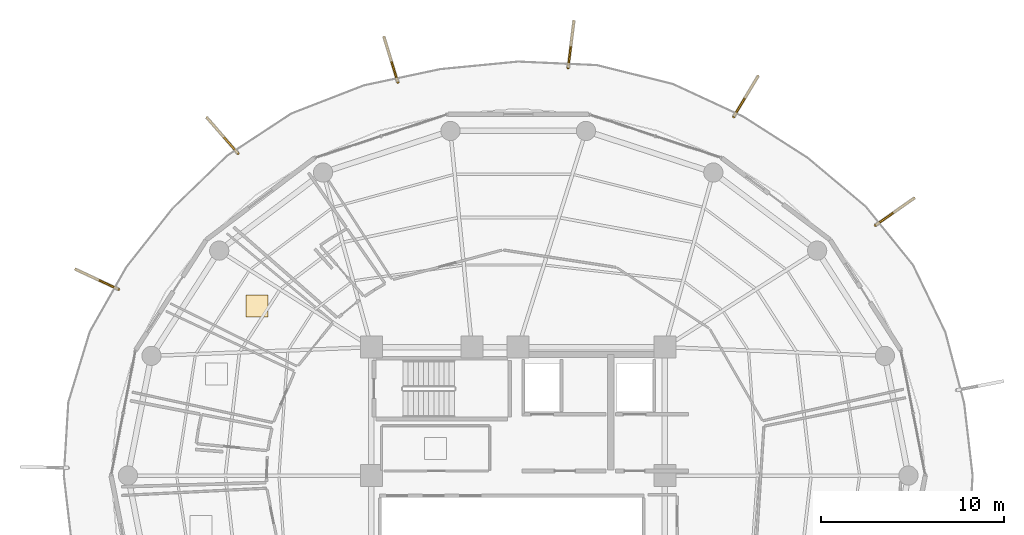
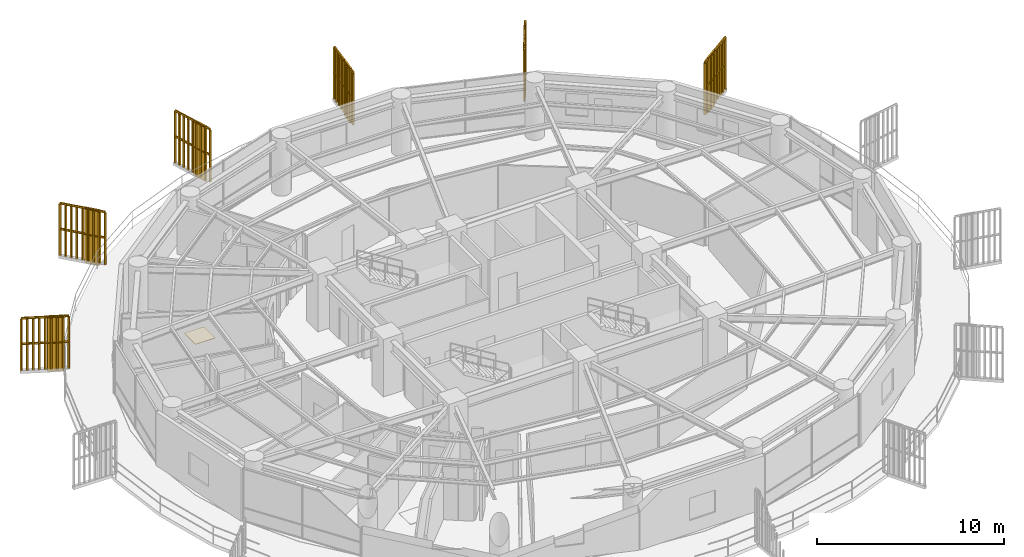
# One storey, part 30 of 30: 6 railings, 6 shading devices, 1 covering.
"""IFC4 building model written with IfcOpenShell, lengths in metres."""

from ifc_helpers import new_model, si_unit, direction, frame, origin, origin_2d, place, context, subcontext, project, spatial, polyline, rectangle, outline, extrude, source, transform, mapped, material, layer, layer_set, type_object, element, save


model = new_model("IFC4")

# Units and contexts
model_context = context("Model", 3, precision=1e-05, world=origin(), true_north=direction((0.0, 1.0)))
body_context = subcontext(model_context, "Body", "Model", "MODEL_VIEW")
ifc_project = project(units=[si_unit("LENGTHUNIT", "METRE"), si_unit("AREAUNIT", "SQUARE_METRE"), si_unit("VOLUMEUNIT", "CUBIC_METRE"), si_unit("PLANEANGLEUNIT", "RADIAN"), si_unit("MASSUNIT", "GRAM", prefix="KILO")], contexts=[model_context])

# Site, building, storey
site_placement = place(None, origin())
site = spatial("IfcSite", under=ifc_project, at=site_placement, CompositionType="ELEMENT")
building_placement = place(site_placement, origin())
building = spatial("IfcBuilding", under=site, at=building_placement, Name="Kelanora Arch Commons", CompositionType="ELEMENT")
storey_placement = place(building_placement, frame((0.0, 0.0, 204.449951171875)))
storey = spatial("IfcBuildingStorey", under=building, at=storey_placement, Name="L52", CompositionType="ELEMENT", Elevation=204.449951171875)

# Railings
ifc_material_1 = material(Name="Anodised bronze vertical shading fin rib assembly")
railing_type = type_object("IfcRailingType", Name="RAIL-FIN-BRZ", PredefinedType="BALUSTRADE", material=ifc_material_1)
railing_1_placement = place(storey_placement, frame((93.488037109375, 71.6533203125, -0.02001953125)))
element("IfcRailing", 1, at=railing_1_placement, inside=storey, type_object=railing_type, Name="Sweeping Bronze Vertical Fin Blade L52-03", PredefinedType="BALUSTRADE", context=body_context, shape_type="SweptSolid", body=[
    extrude(outline(polyline([(0.06982421875, 0.0), (0.034912109375, 0.060546875), (-0.034912109375, 0.060546875), (-0.06982421875, 0.0), (-0.034912109375, -0.060546875), (0.034912109375, -0.060546875), (0.06982421875, 0.0)])), frame((0.0, 0.0, 3.419921875), z_axis=(0.819011940007, 0.573776474009, 0.0), x_axis=(-0.573776474009, 0.819011940007, 0.0)), (0.0, 0.0, 1.0), 2.555419921875),
    extrude(outline(polyline([(0.06982421875, 0.0), (0.034912109375, 0.060546875), (-0.034912109375, 0.060546875), (-0.06982421875, 0.0), (-0.034912109375, -0.060546875), (0.034912109375, -0.060546875), (0.06982421875, 0.0)])), frame((0.0, 0.0, 1.7451171875), z_axis=(0.819011940007, 0.573776474009, 0.0), x_axis=(-0.573776474009, 0.819011940007, 0.0)), (0.0, 0.0, 1.0), 2.555419921875),
    extrude(outline(polyline([(0.080078125, 0.0), (0.0400390625, 0.0693359375), (-0.0400390625, 0.0693359375), (-0.080078125, 0.0), (-0.0400390625, -0.0693359375), (0.0400390625, -0.0693359375), (0.080078125, 0.0)])), origin(), (0.0, 0.0, 1.0), 3.35009765625),
    extrude(outline(polyline([(0.080078125, 0.0), (0.0400390625, 0.0693359375), (-0.0400390625, 0.0693359375), (-0.080078125, 0.0), (-0.0400390625, -0.0693359375), (0.0400390625, -0.0693359375), (0.080078125, 0.0)])), frame((0.26171875, 0.183349609375, 0.0)), (0.0, 0.0, 1.0), 3.35009765625),
    extrude(outline(polyline([(0.080078125, 0.0), (0.0400390625, 0.0693359375), (-0.0400390625, 0.0693359375), (-0.080078125, 0.0), (-0.0400390625, -0.0693359375), (0.0400390625, -0.0693359375), (0.080078125, 0.0)])), frame((0.523193359375, 0.36669921875, 0.0)), (0.0, 0.0, 1.0), 3.35009765625),
    extrude(outline(polyline([(0.080078125, 0.0), (0.0400390625, 0.0693359375), (-0.0400390625, 0.0693359375), (-0.080078125, 0.0), (-0.0400390625, -0.0693359375), (0.0400390625, -0.0693359375), (0.080078125, 0.0)])), frame((0.784912109375, 0.5498046875, 0.0)), (0.0, 0.0, 1.0), 3.35009765625),
    extrude(outline(polyline([(0.080078125, 0.0), (0.0400390625, 0.0693359375), (-0.0400390625, 0.0693359375), (-0.080078125, 0.0), (-0.0400390625, -0.0693359375), (0.0400390625, -0.0693359375), (0.080078125, 0.0)])), frame((1.04638671875, 0.733154296875, 0.0)), (0.0, 0.0, 1.0), 3.35009765625),
    extrude(outline(polyline([(0.080078125, 0.0), (0.0400390625, 0.0693359375), (-0.0400390625, 0.0693359375), (-0.080078125, 0.0), (-0.0400390625, -0.0693359375), (0.0400390625, -0.0693359375), (0.080078125, 0.0)])), frame((1.30810546875, 0.91650390625, 0.0)), (0.0, 0.0, 1.0), 3.35009765625),
    extrude(outline(polyline([(0.080078125, 0.0), (0.0400390625, 0.0693359375), (-0.0400390625, 0.0693359375), (-0.080078125, 0.0), (-0.0400390625, -0.0693359375), (0.0400390625, -0.0693359375), (0.080078125, 0.0)])), frame((1.56982421875, 1.099609375, 0.0)), (0.0, 0.0, 1.0), 3.35009765625),
    extrude(outline(polyline([(0.080078125, 0.0), (0.0400390625, 0.0693359375), (-0.0400390625, 0.0693359375), (-0.080078125, 0.0), (-0.0400390625, -0.0693359375), (0.0400390625, -0.0693359375), (0.080078125, 0.0)])), frame((1.831298828125, 1.282958984375, 0.0)), (0.0, 0.0, 1.0), 3.35009765625),
    extrude(outline(polyline([(0.080078125, 0.0), (0.0400390625, 0.0693359375), (-0.0400390625, 0.0693359375), (-0.080078125, 0.0), (-0.0400390625, -0.0693359375), (0.0400390625, -0.0693359375), (0.080078125, 0.0)])), frame((2.093017578125, 1.46630859375, 0.0)), (0.0, 0.0, 1.0), 3.35009765625),
])
railing_2_placement = place(storey_placement, frame((85.75390625, 77.5732421875, -0.02001953125)))
element("IfcRailing", 2, at=railing_2_placement, inside=storey, type_object=railing_type, Name="Sweeping Bronze Vertical Fin Blade L52-04", PredefinedType="BALUSTRADE", context=body_context, shape_type="SweptSolid", body=[
    extrude(outline(polyline([(0.06982421875, 0.0), (0.034912109375, 0.060546875), (-0.034912109375, 0.060546875), (-0.06982421875, 0.0), (-0.034912109375, -0.060546875), (0.034912109375, -0.060546875), (0.06982421875, 0.0)])), frame((0.0, 0.0, 3.419921875), z_axis=(0.514748622786, 0.857341154582, 0.0), x_axis=(-0.857341154582, 0.514748622786, 0.0)), (0.0, 0.0, 1.0), 2.555419921875),
    extrude(outline(polyline([(0.06982421875, 0.0), (0.034912109375, 0.060546875), (-0.034912109375, 0.060546875), (-0.06982421875, 0.0), (-0.034912109375, -0.060546875), (0.034912109375, -0.060546875), (0.06982421875, 0.0)])), frame((0.0, 0.0, 1.7451171875), z_axis=(0.514748622786, 0.857341154582, 0.0), x_axis=(-0.857341154582, 0.514748622786, 0.0)), (0.0, 0.0, 1.0), 2.555419921875),
    extrude(outline(polyline([(0.080078125, 0.0), (0.0400390625, 0.0693359375), (-0.0400390625, 0.0693359375), (-0.080078125, 0.0), (-0.0400390625, -0.0693359375), (0.0400390625, -0.0693359375), (0.080078125, 0.0)])), origin(), (0.0, 0.0, 1.0), 3.35009765625),
    extrude(outline(polyline([(0.080078125, 0.0), (0.0400390625, 0.0693359375), (-0.0400390625, 0.0693359375), (-0.080078125, 0.0), (-0.0400390625, -0.0693359375), (0.0400390625, -0.0693359375), (0.080078125, 0.0)])), frame((0.16455078125, 0.27392578125, 0.0)), (0.0, 0.0, 1.0), 3.35009765625),
    extrude(outline(polyline([(0.080078125, 0.0), (0.0400390625, 0.0693359375), (-0.0400390625, 0.0693359375), (-0.080078125, 0.0), (-0.0400390625, -0.0693359375), (0.0400390625, -0.0693359375), (0.080078125, 0.0)])), frame((0.328857421875, 0.5478515625, 0.0)), (0.0, 0.0, 1.0), 3.35009765625),
    extrude(outline(polyline([(0.080078125, 0.0), (0.0400390625, 0.0693359375), (-0.0400390625, 0.0693359375), (-0.080078125, 0.0), (-0.0400390625, -0.0693359375), (0.0400390625, -0.0693359375), (0.080078125, 0.0)])), frame((0.4931640625, 0.821533203125, 0.0)), (0.0, 0.0, 1.0), 3.35009765625),
    extrude(outline(polyline([(0.080078125, 0.0), (0.0400390625, 0.0693359375), (-0.0400390625, 0.0693359375), (-0.080078125, 0.0), (-0.0400390625, -0.0693359375), (0.0400390625, -0.0693359375), (0.080078125, 0.0)])), frame((0.65771484375, 1.095458984375, 0.0)), (0.0, 0.0, 1.0), 3.35009765625),
    extrude(outline(polyline([(0.080078125, 0.0), (0.0400390625, 0.0693359375), (-0.0400390625, 0.0693359375), (-0.080078125, 0.0), (-0.0400390625, -0.0693359375), (0.0400390625, -0.0693359375), (0.080078125, 0.0)])), frame((0.822265625, 1.369384765625, 0.0)), (0.0, 0.0, 1.0), 3.35009765625),
    extrude(outline(polyline([(0.080078125, 0.0), (0.0400390625, 0.0693359375), (-0.0400390625, 0.0693359375), (-0.080078125, 0.0), (-0.0400390625, -0.0693359375), (0.0400390625, -0.0693359375), (0.080078125, 0.0)])), frame((0.986572265625, 1.64306640625, 0.0)), (0.0, 0.0, 1.0), 3.35009765625),
    extrude(outline(polyline([(0.080078125, 0.0), (0.0400390625, 0.0693359375), (-0.0400390625, 0.0693359375), (-0.080078125, 0.0), (-0.0400390625, -0.0693359375), (0.0400390625, -0.0693359375), (0.080078125, 0.0)])), frame((1.15087890625, 1.9169921875, 0.0)), (0.0, 0.0, 1.0), 3.35009765625),
    extrude(outline(polyline([(0.080078125, 0.0), (0.0400390625, 0.0693359375), (-0.0400390625, 0.0693359375), (-0.080078125, 0.0), (-0.0400390625, -0.0693359375), (0.0400390625, -0.0693359375), (0.080078125, 0.0)])), frame((1.3154296875, 2.19091796875, 0.0)), (0.0, 0.0, 1.0), 3.35009765625),
])
railing_3_placement = place(storey_placement, frame((76.72412109375, 80.23388671875, -0.02001953125)))
element("IfcRailing", 3, at=railing_3_placement, inside=storey, type_object=railing_type, Name="Sweeping Bronze Vertical Fin Blade L52-05", PredefinedType="BALUSTRADE", context=body_context, shape_type="SweptSolid", body=[
    extrude(outline(polyline([(0.06982421875, 0.0), (0.034912109375, 0.060546875), (-0.034912109375, 0.060546875), (-0.06982421875, 0.0), (-0.034912109375, -0.060546875), (0.034912109375, -0.060546875), (0.06982421875, 0.0)])), frame((0.0, 0.0, 3.419921875), z_axis=(0.121612260946, 0.992577683603, 0.0), x_axis=(-0.992577683603, 0.121612260946, 0.0)), (0.0, 0.0, 1.0), 2.5556640625),
    extrude(outline(polyline([(0.06982421875, 0.0), (0.034912109375, 0.060546875), (-0.034912109375, 0.060546875), (-0.06982421875, 0.0), (-0.034912109375, -0.060546875), (0.034912109375, -0.060546875), (0.06982421875, 0.0)])), frame((0.0, 0.0, 1.7451171875), z_axis=(0.121612260946, 0.992577683603, 0.0), x_axis=(-0.992577683603, 0.121612260946, 0.0)), (0.0, 0.0, 1.0), 2.5556640625),
    extrude(outline(polyline([(0.080078125, 0.0), (0.0400390625, 0.0693359375), (-0.0400390625, 0.0693359375), (-0.080078125, 0.0), (-0.0400390625, -0.0693359375), (0.0400390625, -0.0693359375), (0.080078125, 0.0)])), origin(), (0.0, 0.0, 1.0), 3.35009765625),
    extrude(outline(polyline([(0.080078125, 0.0), (0.0400390625, 0.0693359375), (-0.0400390625, 0.0693359375), (-0.080078125, 0.0), (-0.0400390625, -0.0693359375), (0.0400390625, -0.0693359375), (0.080078125, 0.0)])), frame((0.038818359375, 0.317138671875, 0.0)), (0.0, 0.0, 1.0), 3.35009765625),
    extrude(outline(polyline([(0.080078125, 0.0), (0.0400390625, 0.0693359375), (-0.0400390625, 0.0693359375), (-0.080078125, 0.0), (-0.0400390625, -0.0693359375), (0.0400390625, -0.0693359375), (0.080078125, 0.0)])), frame((0.07763671875, 0.63427734375, 0.0)), (0.0, 0.0, 1.0), 3.35009765625),
    extrude(outline(polyline([(0.080078125, 0.0), (0.0400390625, 0.0693359375), (-0.0400390625, 0.0693359375), (-0.080078125, 0.0), (-0.0400390625, -0.0693359375), (0.0400390625, -0.0693359375), (0.080078125, 0.0)])), frame((0.116455078125, 0.951171875, 0.0)), (0.0, 0.0, 1.0), 3.35009765625),
    extrude(outline(polyline([(0.080078125, 0.0), (0.0400390625, 0.0693359375), (-0.0400390625, 0.0693359375), (-0.080078125, 0.0), (-0.0400390625, -0.0693359375), (0.0400390625, -0.0693359375), (0.080078125, 0.0)])), frame((0.1552734375, 1.268310546875, 0.0)), (0.0, 0.0, 1.0), 3.35009765625),
    extrude(outline(polyline([(0.080078125, 0.0), (0.0400390625, 0.0693359375), (-0.0400390625, 0.0693359375), (-0.080078125, 0.0), (-0.0400390625, -0.0693359375), (0.0400390625, -0.0693359375), (0.080078125, 0.0)])), frame((0.1943359375, 1.58544921875, 0.0)), (0.0, 0.0, 1.0), 3.35009765625),
    extrude(outline(polyline([(0.080078125, 0.0), (0.0400390625, 0.0693359375), (-0.0400390625, 0.0693359375), (-0.080078125, 0.0), (-0.0400390625, -0.0693359375), (0.0400390625, -0.0693359375), (0.080078125, 0.0)])), frame((0.233154296875, 1.90234375, 0.0)), (0.0, 0.0, 1.0), 3.35009765625),
    extrude(outline(polyline([(0.080078125, 0.0), (0.0400390625, 0.0693359375), (-0.0400390625, 0.0693359375), (-0.080078125, 0.0), (-0.0400390625, -0.0693359375), (0.0400390625, -0.0693359375), (0.080078125, 0.0)])), frame((0.27197265625, 2.219482421875, 0.0)), (0.0, 0.0, 1.0), 3.35009765625),
    extrude(outline(polyline([(0.080078125, 0.0), (0.0400390625, 0.0693359375), (-0.0400390625, 0.0693359375), (-0.080078125, 0.0), (-0.0400390625, -0.0693359375), (0.0400390625, -0.0693359375), (0.080078125, 0.0)])), frame((0.310791015625, 2.53662109375, 0.0)), (0.0, 0.0, 1.0), 3.35009765625),
])
railing_4_placement = place(storey_placement, frame((67.4365234375, 79.4482421875, -0.02001953125)))
element("IfcRailing", 4, at=railing_4_placement, inside=storey, type_object=railing_type, Name="Sweeping Bronze Vertical Fin Blade L52-06", PredefinedType="BALUSTRADE", context=body_context, shape_type="SweptSolid", body=[
    extrude(outline(polyline([(0.06982421875, 0.0), (0.034912109375, 0.060546875), (-0.034912109375, 0.060546875), (-0.06982421875, 0.0), (-0.034912109375, -0.060546875), (0.034912109375, -0.060546875), (0.06982421875, 0.0)])), frame((0.0, 0.0, 3.419921875), z_axis=(-0.292628702698, 0.956226146033, 0.0), x_axis=(-0.956226146033, -0.292628702698, 0.0)), (0.0, 0.0, 1.0), 2.555419921875),
    extrude(outline(polyline([(0.06982421875, 0.0), (0.034912109375, 0.060546875), (-0.034912109375, 0.060546875), (-0.06982421875, 0.0), (-0.034912109375, -0.060546875), (0.034912109375, -0.060546875), (0.06982421875, 0.0)])), frame((0.0, 0.0, 1.7451171875), z_axis=(-0.292628702698, 0.956226146033, 0.0), x_axis=(-0.956226146033, -0.292628702698, 0.0)), (0.0, 0.0, 1.0), 2.555419921875),
    extrude(outline(polyline([(0.080078125, 0.0), (0.0400390625, 0.0693359375), (-0.0400390625, 0.0693359375), (-0.080078125, 0.0), (-0.0400390625, -0.0693359375), (0.0400390625, -0.0693359375), (0.080078125, 0.0)])), origin(), (0.0, 0.0, 1.0), 3.35009765625),
    extrude(outline(polyline([(0.080078125, 0.0), (0.0400390625, 0.0693359375), (-0.0400390625, 0.0693359375), (-0.080078125, 0.0), (-0.0400390625, -0.0693359375), (0.0400390625, -0.0693359375), (0.080078125, 0.0)])), frame((-0.093505859375, 0.305419921875, 0.0)), (0.0, 0.0, 1.0), 3.35009765625),
    extrude(outline(polyline([(0.080078125, 0.0), (0.0400390625, 0.0693359375), (-0.0400390625, 0.0693359375), (-0.080078125, 0.0), (-0.0400390625, -0.0693359375), (0.0400390625, -0.0693359375), (0.080078125, 0.0)])), frame((-0.18701171875, 0.61083984375, 0.0)), (0.0, 0.0, 1.0), 3.35009765625),
    extrude(outline(polyline([(0.080078125, 0.0), (0.0400390625, 0.0693359375), (-0.0400390625, 0.0693359375), (-0.080078125, 0.0), (-0.0400390625, -0.0693359375), (0.0400390625, -0.0693359375), (0.080078125, 0.0)])), frame((-0.280517578125, 0.916259765625, 0.0)), (0.0, 0.0, 1.0), 3.35009765625),
    extrude(outline(polyline([(0.080078125, 0.0), (0.0400390625, 0.0693359375), (-0.0400390625, 0.0693359375), (-0.080078125, 0.0), (-0.0400390625, -0.0693359375), (0.0400390625, -0.0693359375), (0.080078125, 0.0)])), frame((-0.3740234375, 1.2216796875, 0.0)), (0.0, 0.0, 1.0), 3.35009765625),
    extrude(outline(polyline([(0.080078125, 0.0), (0.0400390625, 0.0693359375), (-0.0400390625, 0.0693359375), (-0.080078125, 0.0), (-0.0400390625, -0.0693359375), (0.0400390625, -0.0693359375), (0.080078125, 0.0)])), frame((-0.46728515625, 1.52734375, 0.0)), (0.0, 0.0, 1.0), 3.35009765625),
    extrude(outline(polyline([(0.080078125, 0.0), (0.0400390625, 0.0693359375), (-0.0400390625, 0.0693359375), (-0.080078125, 0.0), (-0.0400390625, -0.0693359375), (0.0400390625, -0.0693359375), (0.080078125, 0.0)])), frame((-0.560791015625, 1.832763671875, 0.0)), (0.0, 0.0, 1.0), 3.35009765625),
    extrude(outline(polyline([(0.080078125, 0.0), (0.0400390625, 0.0693359375), (-0.0400390625, 0.0693359375), (-0.080078125, 0.0), (-0.0400390625, -0.0693359375), (0.0400390625, -0.0693359375), (0.080078125, 0.0)])), frame((-0.654296875, 2.13818359375, 0.0)), (0.0, 0.0, 1.0), 3.35009765625),
    extrude(outline(polyline([(0.080078125, 0.0), (0.0400390625, 0.0693359375), (-0.0400390625, 0.0693359375), (-0.080078125, 0.0), (-0.0400390625, -0.0693359375), (0.0400390625, -0.0693359375), (0.080078125, 0.0)])), frame((-0.747802734375, 2.443603515625, 0.0)), (0.0, 0.0, 1.0), 3.35009765625),
])
railing_5_placement = place(storey_placement, frame((58.718994140625, 75.569580078125, -0.02001953125)))
element("IfcRailing", 5, at=railing_5_placement, inside=storey, type_object=railing_type, Name="Sweeping Bronze Vertical Fin Blade L52-07", PredefinedType="BALUSTRADE", context=body_context, shape_type="SweptSolid", body=[
    extrude(outline(polyline([(0.06982421875, 0.0), (0.034912109375, 0.060546875), (-0.034912109375, 0.060546875), (-0.06982421875, 0.0), (-0.034912109375, -0.060546875), (0.034912109375, -0.060546875), (0.06982421875, 0.0)])), frame((0.0, 0.0, 3.419921875), z_axis=(-0.656296963575, 0.754502680977, 0.0), x_axis=(-0.754502680977, -0.656296963575, 0.0)), (0.0, 0.0, 1.0), 2.5556640625),
    extrude(outline(polyline([(0.06982421875, 0.0), (0.034912109375, 0.060546875), (-0.034912109375, 0.060546875), (-0.06982421875, 0.0), (-0.034912109375, -0.060546875), (0.034912109375, -0.060546875), (0.06982421875, 0.0)])), frame((0.0, 0.0, 1.7451171875), z_axis=(-0.656296963575, 0.754502680977, 0.0), x_axis=(-0.754502680977, -0.656296963575, 0.0)), (0.0, 0.0, 1.0), 2.5556640625),
    extrude(outline(polyline([(0.080078125, 0.0), (0.0400390625, 0.0693359375), (-0.0400390625, 0.0693359375), (-0.080078125, 0.0), (-0.0400390625, -0.0693359375), (0.0400390625, -0.0693359375), (0.080078125, 0.0)])), origin(), (0.0, 0.0, 1.0), 3.35009765625),
    extrude(outline(polyline([(0.080078125, 0.0), (0.0400390625, 0.0693359375), (-0.0400390625, 0.0693359375), (-0.080078125, 0.0), (-0.0400390625, -0.0693359375), (0.0400390625, -0.0693359375), (0.080078125, 0.0)])), frame((-0.209716796875, 0.240966796875, 0.0)), (0.0, 0.0, 1.0), 3.35009765625),
    extrude(outline(polyline([(0.080078125, 0.0), (0.0400390625, 0.0693359375), (-0.0400390625, 0.0693359375), (-0.080078125, 0.0), (-0.0400390625, -0.0693359375), (0.0400390625, -0.0693359375), (0.080078125, 0.0)])), frame((-0.41943359375, 0.48193359375, 0.0)), (0.0, 0.0, 1.0), 3.35009765625),
    extrude(outline(polyline([(0.080078125, 0.0), (0.0400390625, 0.0693359375), (-0.0400390625, 0.0693359375), (-0.080078125, 0.0), (-0.0400390625, -0.0693359375), (0.0400390625, -0.0693359375), (0.080078125, 0.0)])), frame((-0.62890625, 0.72314453125, 0.0)), (0.0, 0.0, 1.0), 3.35009765625),
    extrude(outline(polyline([(0.080078125, 0.0), (0.0400390625, 0.0693359375), (-0.0400390625, 0.0693359375), (-0.080078125, 0.0), (-0.0400390625, -0.0693359375), (0.0400390625, -0.0693359375), (0.080078125, 0.0)])), frame((-0.838623046875, 0.964111328125, 0.0)), (0.0, 0.0, 1.0), 3.35009765625),
    extrude(outline(polyline([(0.080078125, 0.0), (0.0400390625, 0.0693359375), (-0.0400390625, 0.0693359375), (-0.080078125, 0.0), (-0.0400390625, -0.0693359375), (0.0400390625, -0.0693359375), (0.080078125, 0.0)])), frame((-1.04833984375, 1.205078125, 0.0)), (0.0, 0.0, 1.0), 3.35009765625),
    extrude(outline(polyline([(0.080078125, 0.0), (0.0400390625, 0.0693359375), (-0.0400390625, 0.0693359375), (-0.080078125, 0.0), (-0.0400390625, -0.0693359375), (0.0400390625, -0.0693359375), (0.080078125, 0.0)])), frame((-1.2578125, 1.4462890625, 0.0)), (0.0, 0.0, 1.0), 3.35009765625),
    extrude(outline(polyline([(0.080078125, 0.0), (0.0400390625, 0.0693359375), (-0.0400390625, 0.0693359375), (-0.080078125, 0.0), (-0.0400390625, -0.0693359375), (0.0400390625, -0.0693359375), (0.080078125, 0.0)])), frame((-1.467529296875, 1.687255859375, 0.0)), (0.0, 0.0, 1.0), 3.35009765625),
    extrude(outline(polyline([(0.080078125, 0.0), (0.0400390625, 0.0693359375), (-0.0400390625, 0.0693359375), (-0.080078125, 0.0), (-0.0400390625, -0.0693359375), (0.0400390625, -0.0693359375), (0.080078125, 0.0)])), frame((-1.67724609375, 1.92822265625, 0.0)), (0.0, 0.0, 1.0), 3.35009765625),
])
railing_6_placement = place(storey_placement, frame((52.200927734375, 68.158203125, -0.02001953125)))
element("IfcRailing", 6, at=railing_6_placement, inside=storey, type_object=railing_type, Name="Sweeping Bronze Vertical Fin Blade L52-08", PredefinedType="BALUSTRADE", context=body_context, shape_type="SweptSolid", body=[
    extrude(outline(polyline([(0.06982421875, 0.0), (0.034912109375, 0.060546875), (-0.034912109375, 0.060546875), (-0.06982421875, 0.0), (-0.034912109375, -0.060546875), (0.034912109375, -0.060546875), (0.06982421875, 0.0)])), frame((0.0, 0.0, 3.419921875), z_axis=(-0.906429492441, 0.422357165481, 0.0), x_axis=(-0.422357165481, -0.906429492441, 0.0)), (0.0, 0.0, 1.0), 2.555419921875),
    extrude(outline(polyline([(0.06982421875, 0.0), (0.034912109375, 0.060546875), (-0.034912109375, 0.060546875), (-0.06982421875, 0.0), (-0.034912109375, -0.060546875), (0.034912109375, -0.060546875), (0.06982421875, 0.0)])), frame((0.0, 0.0, 1.7451171875), z_axis=(-0.906429492441, 0.422357165481, 0.0), x_axis=(-0.422357165481, -0.906429492441, 0.0)), (0.0, 0.0, 1.0), 2.555419921875),
    extrude(outline(polyline([(0.080078125, 0.0), (0.0400390625, 0.0693359375), (-0.0400390625, 0.0693359375), (-0.080078125, 0.0), (-0.0400390625, -0.0693359375), (0.0400390625, -0.0693359375), (0.080078125, 0.0)])), origin(), (0.0, 0.0, 1.0), 3.35009765625),
    extrude(outline(polyline([(0.080078125, 0.0), (0.0400390625, 0.0693359375), (-0.0400390625, 0.0693359375), (-0.080078125, 0.0), (-0.0400390625, -0.0693359375), (0.0400390625, -0.0693359375), (0.080078125, 0.0)])), frame((-0.28955078125, 0.135009765625, 0.0)), (0.0, 0.0, 1.0), 3.35009765625),
    extrude(outline(polyline([(0.080078125, 0.0), (0.0400390625, 0.0693359375), (-0.0400390625, 0.0693359375), (-0.080078125, 0.0), (-0.0400390625, -0.0693359375), (0.0400390625, -0.0693359375), (0.080078125, 0.0)])), frame((-0.5791015625, 0.269775390625, 0.0)), (0.0, 0.0, 1.0), 3.35009765625),
    extrude(outline(polyline([(0.080078125, 0.0), (0.0400390625, 0.0693359375), (-0.0400390625, 0.0693359375), (-0.080078125, 0.0), (-0.0400390625, -0.0693359375), (0.0400390625, -0.0693359375), (0.080078125, 0.0)])), frame((-0.86865234375, 0.40478515625, 0.0)), (0.0, 0.0, 1.0), 3.35009765625),
    extrude(outline(polyline([(0.080078125, 0.0), (0.0400390625, 0.0693359375), (-0.0400390625, 0.0693359375), (-0.080078125, 0.0), (-0.0400390625, -0.0693359375), (0.0400390625, -0.0693359375), (0.080078125, 0.0)])), frame((-1.158203125, 0.53955078125, 0.0)), (0.0, 0.0, 1.0), 3.35009765625),
    extrude(outline(polyline([(0.080078125, 0.0), (0.0400390625, 0.0693359375), (-0.0400390625, 0.0693359375), (-0.080078125, 0.0), (-0.0400390625, -0.0693359375), (0.0400390625, -0.0693359375), (0.080078125, 0.0)])), frame((-1.44775390625, 0.674560546875, 0.0)), (0.0, 0.0, 1.0), 3.35009765625),
    extrude(outline(polyline([(0.080078125, 0.0), (0.0400390625, 0.0693359375), (-0.0400390625, 0.0693359375), (-0.080078125, 0.0), (-0.0400390625, -0.0693359375), (0.0400390625, -0.0693359375), (0.080078125, 0.0)])), frame((-1.7373046875, 0.8095703125, 0.0)), (0.0, 0.0, 1.0), 3.35009765625),
    extrude(outline(polyline([(0.080078125, 0.0), (0.0400390625, 0.0693359375), (-0.0400390625, 0.0693359375), (-0.080078125, 0.0), (-0.0400390625, -0.0693359375), (0.0400390625, -0.0693359375), (0.080078125, 0.0)])), frame((-2.02685546875, 0.9443359375, 0.0)), (0.0, 0.0, 1.0), 3.35009765625),
    extrude(outline(polyline([(0.080078125, 0.0), (0.0400390625, 0.0693359375), (-0.0400390625, 0.0693359375), (-0.080078125, 0.0), (-0.0400390625, -0.0693359375), (0.0400390625, -0.0693359375), (0.080078125, 0.0)])), frame((-2.31640625, 1.079345703125, 0.0)), (0.0, 0.0, 1.0), 3.35009765625),
])

# Shading devices
ifc_material_2 = material(Name="Terracotta ceramic-clad extruded aluminium fin", Category="masonry")
shading_device_type = type_object("IfcShadingDeviceType", Name="SHD-FIN-FLARE", PredefinedType="USERDEFINED", material=ifc_material_2)
shared_shape_1 = source(origin(), body_context, "Body", "SweptSolid", [
    extrude(rectangle(XDim=0.8798828125, YDim=0.090087890625, at=origin_2d()), origin(), (0.0, 0.0, 1.0), 3.610107421875),
])
for number, where, z_axis, x_axis, name in (
    (7, (94.07763671875, 72.06640625, -0.14013671875), (0.0, 0.0, 1.0), (0.818951778441, 0.573862339406, 0.0), "Sweeping Terracotta Fin L52-03"),
    (8, (86.12451171875, 78.1904296875, -0.14013671875), (0.0, 0.0, 1.0), (0.514738835705, 0.85734703068, 0.0), "Sweeping Terracotta Fin L52-04"),
    (9, (76.8115234375, 80.948486328125, -0.14013671875), (0.0, 0.0, 1.0), (0.121522872021, 0.992588631597, 0.0), "Sweeping Terracotta Fin L52-05"),
    (10, (67.225830078125, 80.13671875, -0.14013671875), (0.0, 0.0, 1.0), (-0.292705500237, 0.956202640726, 0.0), "Sweeping Terracotta Fin L52-06"),
    (11, (58.246337890625, 76.11279296875, -0.14013671875), (0.0, 0.0, 1.0), (-0.656190740668, 0.754595064827, 0.0), "Sweeping Terracotta Fin L52-07"),
    (12, (51.54833984375, 68.46240234375, -0.14013671875), (0.0, 0.0, 1.0), (-0.906381534034, 0.422460074755, 0.0), "Sweeping Terracotta Fin L52-08"),
):
    element("IfcShadingDevice", number, at=place(storey_placement, frame(where, z_axis=z_axis, x_axis=x_axis)), inside=storey, type_object=shading_device_type, Name=name, ObjectType="FIN", PredefinedType="USERDEFINED", context=body_context, shape_type="MappedRepresentation", body=[
        mapped(shared_shape_1, transform((0.0, 0.0, 0.0), scale=1.0)),
    ])

# Covering
ifc_material_3 = material(Name="Polished local granite terrazzo flooring", Category="masonry")
ifc_layer = layer(ifc_material_3, 0.030029296875)
ifc_layer_set = layer_set([ifc_layer], Name="Polished local granite terrazzo flooring")
covering_type = type_object("IfcCoveringType", Name="COV-FLR-TER", PredefinedType="FLOORING", material=ifc_layer_set)
shared_shape_2 = source(origin(), body_context, "Body", "SweptSolid", [
    extrude(rectangle(XDim=1.199951171875, YDim=1.199951171875, at=origin_2d()), origin(), (0.0, 0.0, 1.0), 0.030029296875),
])
covering_placement = place(storey_placement, frame((59.748291015625, 67.23779296875, 0.0), z_axis=(0.0, 0.0, 1.0), x_axis=(1.0, 0.0, 0.0)))
element("IfcCovering", 13, at=covering_placement, inside=storey, type_object=covering_type, Name="Social Sky Lounge L52-02 Terrazzo Finish", PredefinedType="FLOORING", context=body_context, shape_type="MappedRepresentation", body=[
    mapped(shared_shape_2, transform((0.0, 0.0, 0.0), scale=1.0)),
])

save(model, "model.ifc")
